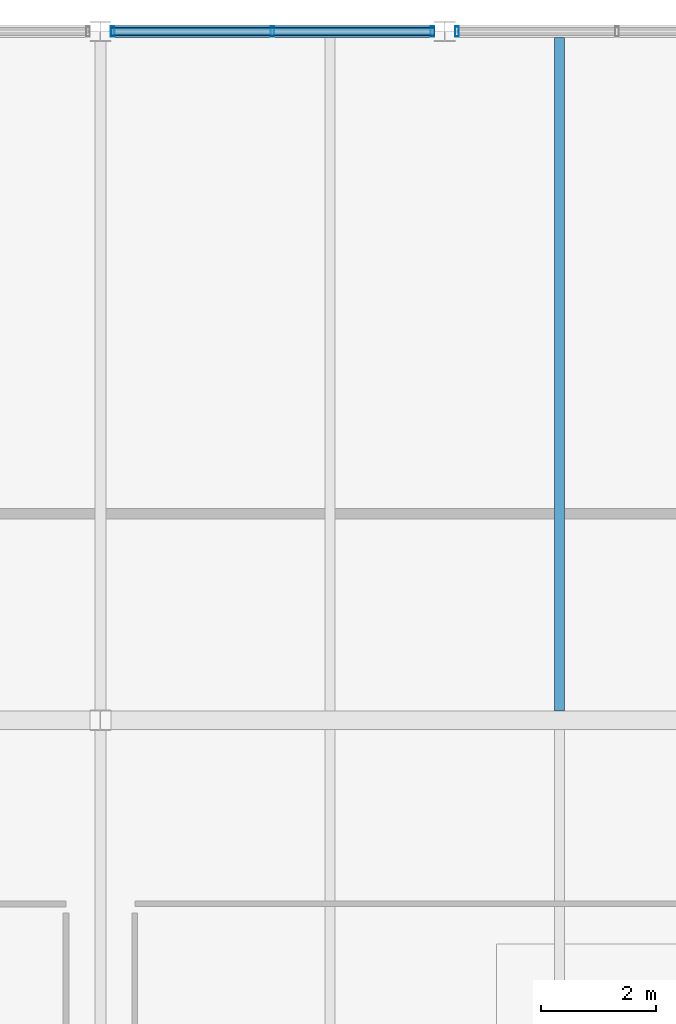
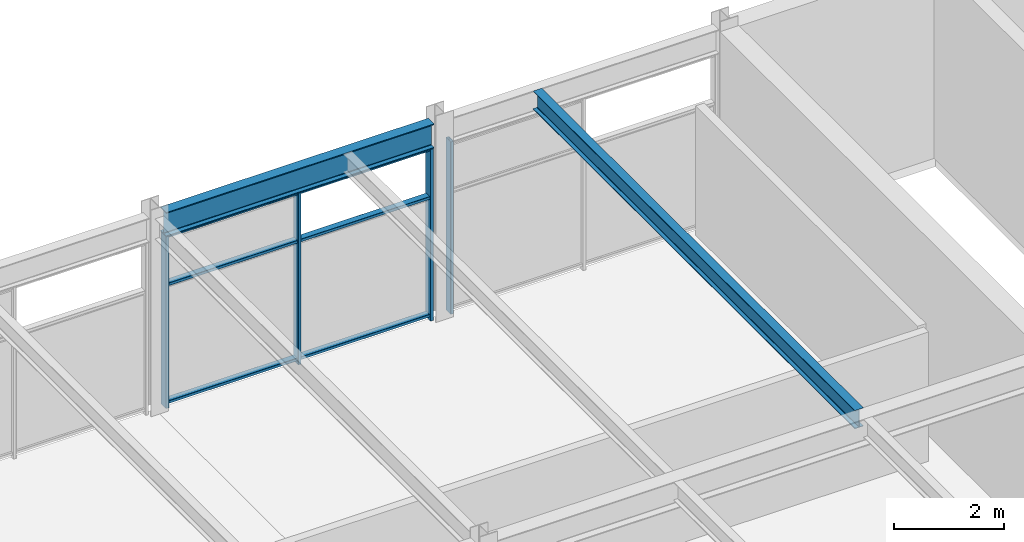
# One storey, part 22 of 28: 7 members, 2 beams, 2 elements without a shape of their own.
"""IFC4 building model written with IfcOpenShell, lengths in metres."""

from ifc_helpers import new_model, si_unit, direction, frame, origin, origin_2d, place, context, subcontext, project, spatial, hollow_rectangle, i_section, extrude, material, material_profile, profile_set, type_object, element, aggregate, save


model = new_model("IFC4")

# Units and contexts
model_context = context("Model", 3, precision=1e-05, world=origin(), true_north=direction((0.0, 1.0)))
body_context = subcontext(model_context, "Body", "Model", "MODEL_VIEW")
ifc_project = project(units=[si_unit("LENGTHUNIT", "METRE"), si_unit("AREAUNIT", "SQUARE_METRE"), si_unit("VOLUMEUNIT", "CUBIC_METRE"), si_unit("PLANEANGLEUNIT", "RADIAN"), si_unit("MASSUNIT", "GRAM", prefix="KILO")], contexts=[model_context])

# Site, building, storey
site_placement = place(None, origin())
site = spatial("IfcSite", under=ifc_project, at=site_placement, CompositionType="ELEMENT")
building_placement = place(site_placement, origin())
building = spatial("IfcBuilding", under=site, at=building_placement, Name="Girod Span Mobility Hub", CompositionType="ELEMENT")
storey_placement = place(building_placement, frame((0.0, 0.0, 69.60009765625)))
storey = spatial("IfcBuildingStorey", under=building, at=storey_placement, Name="L17", CompositionType="ELEMENT", Elevation=69.60009765625)

# Beams
ifc_material_1 = material(Name="Steel A992 Grade 50", Category="steel")
ifc_material_profile_1 = material_profile(ifc_material_1, i_section(OverallWidth=0.178955078125, OverallDepth=0.409912109375, WebThickness=0.0087890625, FlangeThickness=0.014404296875, FilletRadius=0.012939453125, at=origin_2d()), Name="W16X45")
ifc_profile_set_1 = profile_set([ifc_material_profile_1], Name="Steel A992 Grade 50")
beam_type_1 = type_object("IfcBeamType", Name="BM-STL-W16X45", PredefinedType="BEAM", material=ifc_profile_set_1)
beam_1_placement = place(storey_placement, frame((104.0, 57.158935546875, 4.1748046875), z_axis=(0.0, 1.0, 0.0), x_axis=(-1.0, 0.0, 0.0)))
element("IfcBeam", 1, at=beam_1_placement, inside=storey, type_object=beam_type_1, Name="Composite Floorbeam 9/E-2 L17", PredefinedType="BEAM", context=body_context, shape_type="SweptSolid", body=[
    extrude(i_section(OverallWidth=0.178955078125, OverallDepth=0.409912109375, WebThickness=0.0087890625, FlangeThickness=0.014404296875, FilletRadius=0.012939453125, at=origin_2d()), origin(), (0.0, 0.0, 1.0), 11.738037109375),
])
ifc_material_2 = material(Name="Steel A992 Grade 50", Category="steel")
ifc_material_profile_2 = material_profile(ifc_material_2, i_section(OverallWidth=0.2119140625, OverallDepth=0.5439453125, WebThickness=0.01318359375, FlangeThickness=0.021240234375, FilletRadius=0.014892578125, at=origin_2d()), Name="W21X83")
ifc_profile_set_2 = profile_set([ifc_material_profile_2], Name="Steel A992 Grade 50")
beam_type_2 = type_object("IfcBeamType", Name="BM-STL-W21X83", PredefinedType="SPANDREL", material=ifc_profile_set_2)
beam_2_placement = place(storey_placement, frame((96.181396484375, 69.0, 4.10791015625), z_axis=(1.0, 0.0, 0.0), x_axis=(0.0, 1.0, 0.0)))
element("IfcBeam", 2, at=beam_2_placement, inside=storey, type_object=beam_type_2, Name="Spandrel Beam 9-10/F-W L17", PredefinedType="SPANDREL", context=body_context, shape_type="SweptSolid", body=[
    extrude(i_section(OverallWidth=0.2119140625, OverallDepth=0.5439453125, WebThickness=0.01318359375, FlangeThickness=0.021240234375, FilletRadius=0.014892578125, at=origin_2d()), origin(), (0.0, 0.0, 1.0), 5.63720703125),
])

# Curtain wall, members
ifc_material_3 = material(Name="Thermally Broken Anodised Aluminium", Category="aluminium")
curtain_wall_type = type_object("IfcCurtainWallType", Name="CW-564X384", PredefinedType="USERDEFINED", material=ifc_material_3)
curtain_wall_1_placement = place(storey_placement, origin())
curtain_wall_1 = element("IfcCurtainWall", 3, at=curtain_wall_1_placement, inside=storey, type_object=curtain_wall_type, Name="Unitised Curtain Wall CW-L17-N09W L17", ObjectType="UNITISED CURTAIN WALL", PredefinedType="USERDEFINED")
ifc_material_4 = material(Name="Thermally Broken Anodised Aluminium", Category="aluminium")
ifc_material_profile_3 = material_profile(ifc_material_4, hollow_rectangle(XDim=0.179931640625, YDim=0.06494140625, WallThickness=0.00390625, InnerFilletRadius=0.00390625, OuterFilletRadius=0.008056640625, at=origin_2d()), Name="CW-ML-65X180")
ifc_profile_set_3 = profile_set([ifc_material_profile_3], Name="Thermally Broken Anodised Aluminium")
member_type_1 = type_object("IfcMemberType", Name="CWM-ML-2", PredefinedType="MULLION", material=ifc_profile_set_3)
member_1_placement = place(storey_placement, frame((96.214599609375, 69.0, 0.0), z_axis=(0.0, 0.0, 1.0), x_axis=(0.0, 1.0, 0.0)))
member_1 = element("IfcMember", 4, at=member_1_placement, type_object=member_type_1, Name="Curtain Wall Mullion CW-L17-N09W-M0", PredefinedType="MULLION", context=body_context, shape_type="SweptSolid", body=[
    extrude(hollow_rectangle(XDim=0.179931640625, YDim=0.06494140625, WallThickness=0.00390625, InnerFilletRadius=0.00390625, OuterFilletRadius=0.008056640625, at=origin_2d()), origin(), (0.0, 0.0, 1.0), 3.8359375),
])
member_2_placement = place(storey_placement, frame((99.0, 69.0, 0.0), z_axis=(0.0, 0.0, 1.0), x_axis=(0.0, 1.0, 0.0)))
member_2 = element("IfcMember", 5, at=member_2_placement, type_object=member_type_1, Name="Curtain Wall Mullion CW-L17-N09W-M1", PredefinedType="MULLION", context=body_context, shape_type="SweptSolid", body=[
    extrude(hollow_rectangle(XDim=0.179931640625, YDim=0.06494140625, WallThickness=0.00390625, InnerFilletRadius=0.00390625, OuterFilletRadius=0.008056640625, at=origin_2d()), origin(), (0.0, 0.0, 1.0), 3.8359375),
])
member_3_placement = place(storey_placement, frame((101.785400390625, 69.0, 0.0), z_axis=(0.0, 0.0, 1.0), x_axis=(0.0, 1.0, 0.0)))
member_3 = element("IfcMember", 6, at=member_3_placement, type_object=member_type_1, Name="Curtain Wall Mullion CW-L17-N09W-M2", PredefinedType="MULLION", context=body_context, shape_type="SweptSolid", body=[
    extrude(hollow_rectangle(XDim=0.179931640625, YDim=0.06494140625, WallThickness=0.00390625, InnerFilletRadius=0.00390625, OuterFilletRadius=0.008056640625, at=origin_2d()), origin(), (0.0, 0.0, 1.0), 3.8359375),
])

# Curtain wall, member
curtain_wall_2_placement = place(storey_placement, origin())
curtain_wall_2 = element("IfcCurtainWall", 7, at=curtain_wall_2_placement, inside=storey, type_object=curtain_wall_type, Name="Unitised Curtain Wall CW-L17-N09E L17", ObjectType="UNITISED CURTAIN WALL", PredefinedType="USERDEFINED")
member_4_placement = place(storey_placement, frame((102.214599609375, 69.0, 0.0), z_axis=(0.0, 0.0, 1.0), x_axis=(0.0, 1.0, 0.0)))
member_4 = element("IfcMember", 8, at=member_4_placement, type_object=member_type_1, Name="Curtain Wall Mullion CW-L17-N09E-M0", PredefinedType="MULLION", context=body_context, shape_type="SweptSolid", body=[
    extrude(hollow_rectangle(XDim=0.179931640625, YDim=0.06494140625, WallThickness=0.00390625, InnerFilletRadius=0.00390625, OuterFilletRadius=0.008056640625, at=origin_2d()), origin(), (0.0, 0.0, 1.0), 3.8359375),
])
aggregate(curtain_wall_2, [member_4])

# Member
ifc_material_5 = material(Name="Thermally Broken Anodised Aluminium", Category="aluminium")
ifc_material_profile_4 = material_profile(ifc_material_5, hollow_rectangle(XDim=0.135009765625, YDim=0.06494140625, WallThickness=0.00390625, InnerFilletRadius=0.00390625, OuterFilletRadius=0.008056640625, at=origin_2d()), Name="CW-TR-65X135")
ifc_profile_set_4 = profile_set([ifc_material_profile_4], Name="Thermally Broken Anodised Aluminium")
member_type_2 = type_object("IfcMemberType", Name="CWM-TR-2", PredefinedType="USERDEFINED", material=ifc_profile_set_4)
member_5_placement = place(storey_placement, frame((96.1826171875, 69.0, 0.107421875), z_axis=(1.0, 0.0, 0.0), x_axis=(0.0, 1.0, 0.0)))
member_5 = element("IfcMember", 9, at=member_5_placement, type_object=member_type_2, Name="Curtain Wall Transom CW-L17-N09W-T1", ObjectType="TRANSOM", PredefinedType="USERDEFINED", context=body_context, shape_type="SweptSolid", body=[
    extrude(hollow_rectangle(XDim=0.135009765625, YDim=0.06494140625, WallThickness=0.00390625, InnerFilletRadius=0.00390625, OuterFilletRadius=0.008056640625, at=origin_2d()), origin(), (0.0, 0.0, 1.0), 5.634765625),
])

member_6_placement = place(storey_placement, frame((96.1826171875, 69.0, 2.729248046875), z_axis=(1.0, 0.0, 0.0), x_axis=(0.0, 1.0, 0.0)))
member_6 = element("IfcMember", 10, at=member_6_placement, type_object=member_type_2, Name="Curtain Wall Transom CW-L17-N09W-T2", ObjectType="TRANSOM", PredefinedType="USERDEFINED", context=body_context, shape_type="SweptSolid", body=[
    extrude(hollow_rectangle(XDim=0.135009765625, YDim=0.06494140625, WallThickness=0.00390625, InnerFilletRadius=0.00390625, OuterFilletRadius=0.008056640625, at=origin_2d()), origin(), (0.0, 0.0, 1.0), 5.634765625),
])

member_7_placement = place(storey_placement, frame((96.1826171875, 69.0, 3.803466796875), z_axis=(1.0, 0.0, 0.0), x_axis=(0.0, 1.0, 0.0)))
member_7 = element("IfcMember", 11, at=member_7_placement, type_object=member_type_2, Name="Curtain Wall Transom CW-L17-N09W-T3", ObjectType="TRANSOM", PredefinedType="USERDEFINED", context=body_context, shape_type="SweptSolid", body=[
    extrude(hollow_rectangle(XDim=0.135009765625, YDim=0.06494140625, WallThickness=0.00390625, InnerFilletRadius=0.00390625, OuterFilletRadius=0.008056640625, at=origin_2d()), origin(), (0.0, 0.0, 1.0), 5.634765625),
])

aggregate(curtain_wall_1, [member_1, member_2, member_3, member_5, member_6, member_7])

save(model, "model.ifc")
